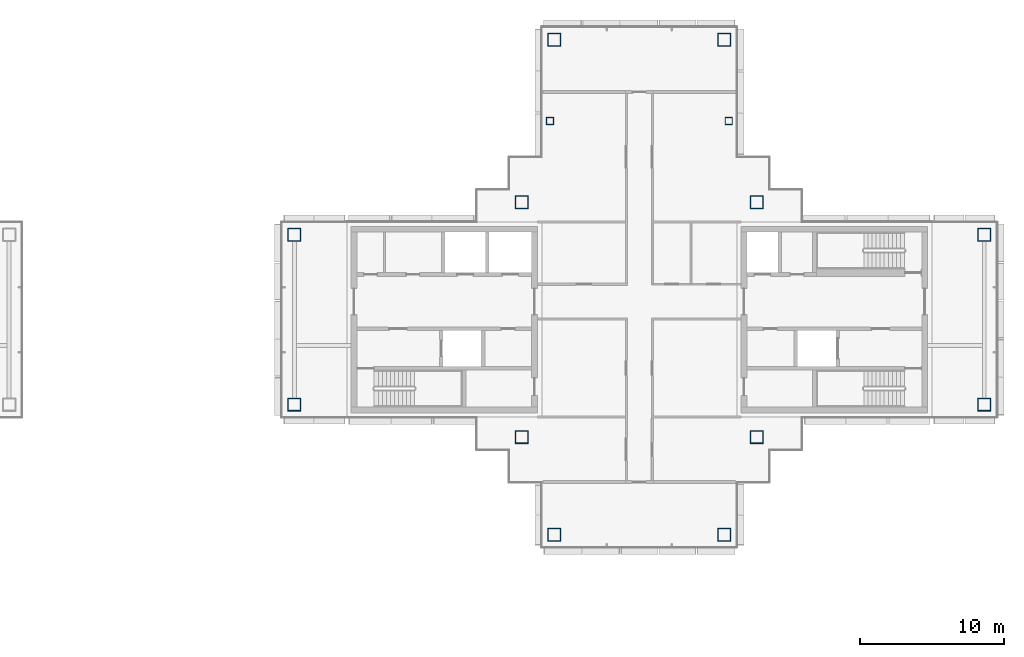
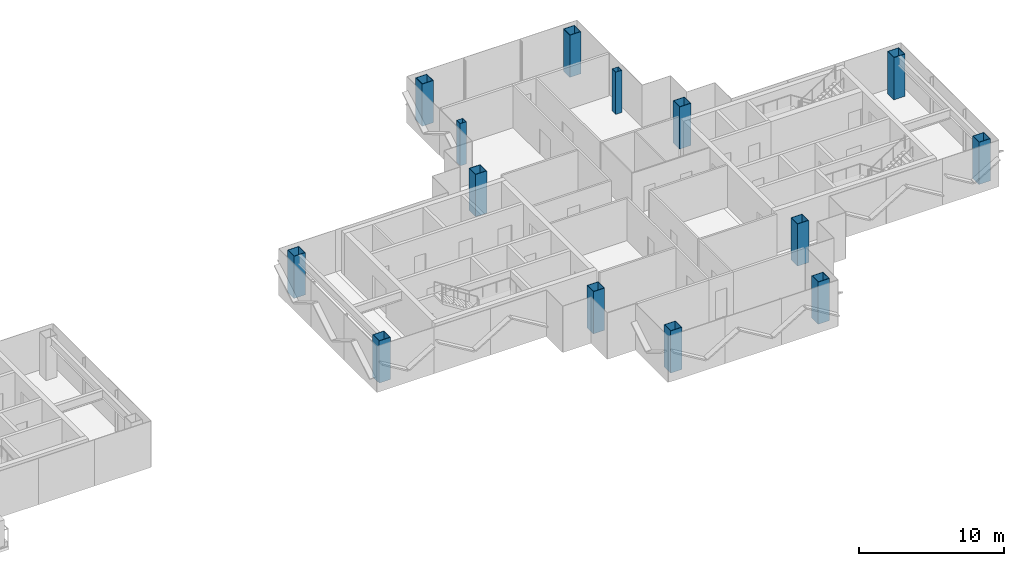
# One storey, part 2 of 17: 14 columns.
"""IFC4 building model written with IfcOpenShell, lengths in metres."""

from ifc_helpers import new_model, si_unit, direction, frame, origin, origin_2d, place, context, subcontext, project, spatial, hollow_rectangle, extrude, material, material_profile, profile_set, type_object, element, save


model = new_model("IFC4")

# Units and contexts
model_context = context("Model", 3, precision=1e-05, world=origin(), true_north=direction((0.0, 1.0)))
body_context = subcontext(model_context, "Body", "Model", "MODEL_VIEW")
ifc_project = project(units=[si_unit("LENGTHUNIT", "METRE"), si_unit("AREAUNIT", "SQUARE_METRE"), si_unit("VOLUMEUNIT", "CUBIC_METRE"), si_unit("PLANEANGLEUNIT", "RADIAN"), si_unit("MASSUNIT", "GRAM", prefix="KILO")], contexts=[model_context])

# Site, building, storey
site_placement = place(None, origin())
site = spatial("IfcSite", under=ifc_project, at=site_placement, CompositionType="ELEMENT")
building_placement = place(site_placement, origin())
building = spatial("IfcBuilding", under=site, at=building_placement, Name="Shamsa Quay Exchange Towers", CompositionType="ELEMENT")
storey_placement = place(building_placement, frame((0.0, 0.0, 253.800048828125)))
storey = spatial("IfcBuildingStorey", under=building, at=storey_placement, Name="L61", CompositionType="ELEMENT", Elevation=253.800048828125)

# Columns
ifc_material_1 = material(Name="Concrete-filled steel tube S355 / C60/75", Category="concrete")
ifc_material_profile_1 = material_profile(ifc_material_1, hollow_rectangle(XDim=0.5, YDim=0.5, WallThickness=0.01611328125, at=origin_2d()), Name="CFT 500x500x16")
ifc_profile_set_1 = profile_set([ifc_material_profile_1], Name="Concrete-filled steel tube S355 / C60/75")
column_type_1 = type_object("IfcColumnType", Name="Column CFT 500x500x16", PredefinedType="COLUMN", material=ifc_profile_set_1)
for number, where, name in (
    (1, (39.9375, 13.75, 0.0), "Perimeter column T2-CP05"),
    (2, (27.5625, 13.75, 0.0), "Perimeter column T2-CP09"),
):
    element("IfcColumn", number, at=place(storey_placement, frame(where)), inside=storey, type_object=column_type_1, Name=name, PredefinedType="COLUMN", context=body_context, shape_type="SweptSolid", body=[
        extrude(hollow_rectangle(XDim=0.5, YDim=0.5, WallThickness=0.01611328125, at=origin_2d()), origin(), (0.0, 0.0, 1.0), 3.550048828125),
    ])
ifc_material_2 = material(Name="Concrete-filled steel tube S355 / C80/95", Category="concrete")
ifc_material_profile_2 = material_profile(ifc_material_2, hollow_rectangle(XDim=0.89990234375, YDim=0.89990234375, WallThickness=0.035888671875, at=origin_2d()), Name="CFT 900x900x36")
ifc_profile_set_2 = profile_set([ifc_material_profile_2], Name="Concrete-filled steel tube S355 / C80/95")
column_type_2 = type_object("IfcColumnType", Name="Column CFT 900x900x36", PredefinedType="COLUMN", material=ifc_profile_set_2)
for number, where, name in (
    (3, (25.625, 8.125, 0.0), "Mega column T2-CM01"),
    (4, (41.875, 8.125, 0.0), "Mega column T2-CM02"),
    (5, (25.625, -8.125, 0.0), "Mega column T2-CM03"),
    (6, (41.875, -8.125, 0.0), "Mega column T2-CM04"),
    (7, (39.625, 19.375, 0.0), "Mega column T2-CM06"),
    (8, (27.875, 19.375, 0.0), "Mega column T2-CM10"),
    (9, (39.625, -14.875, 0.0), "Mega column T2-CM13"),
    (10, (27.875, -14.875, 0.0), "Mega column T2-CM16"),
    (11, (9.875, -5.875, 0.0), "Mega column T2-CM19"),
    (12, (9.875, 5.875, 0.0), "Mega column T2-CM20"),
    (13, (57.625, -5.875, 0.0), "Mega column T2-CM21"),
    (14, (57.625, 5.875, 0.0), "Mega column T2-CM23"),
):
    element("IfcColumn", number, at=place(storey_placement, frame(where)), inside=storey, type_object=column_type_2, Name=name, PredefinedType="COLUMN", context=body_context, shape_type="SweptSolid", body=[
        extrude(hollow_rectangle(XDim=0.89990234375, YDim=0.89990234375, WallThickness=0.035888671875, at=origin_2d()), origin(), (0.0, 0.0, 1.0), 3.550048828125),
    ])

save(model, "model.ifc")
